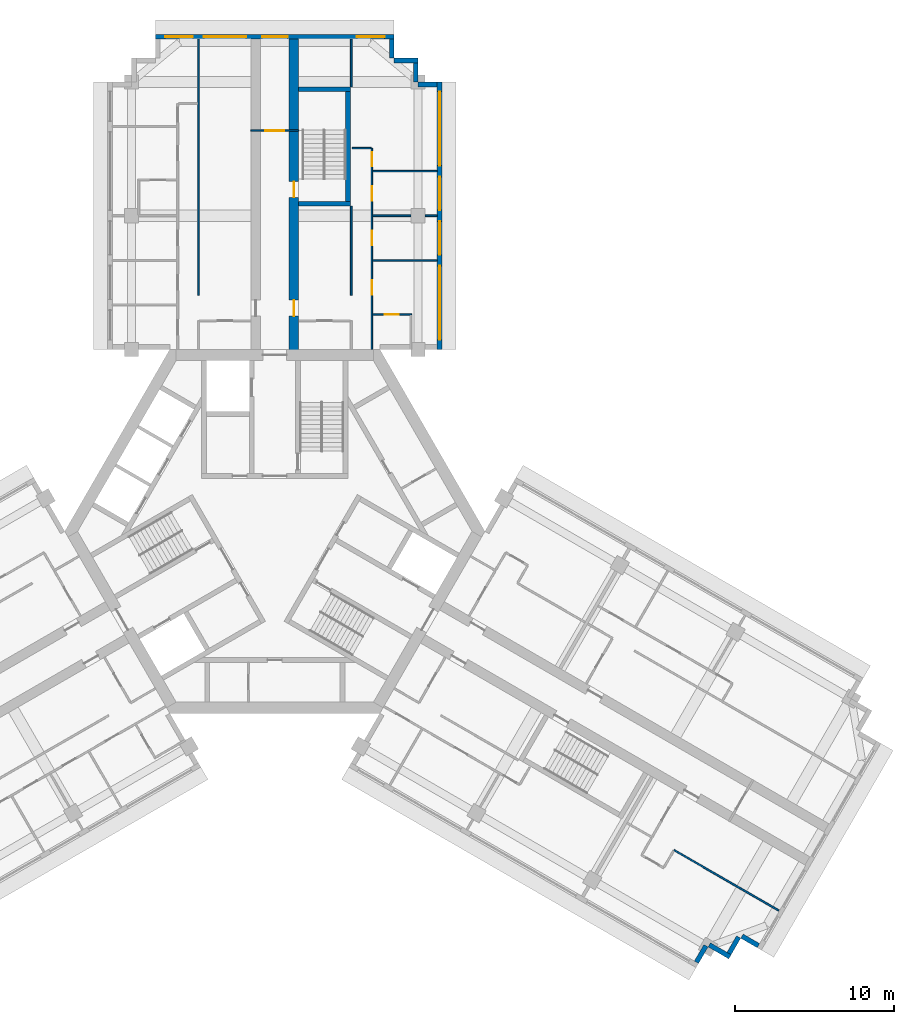
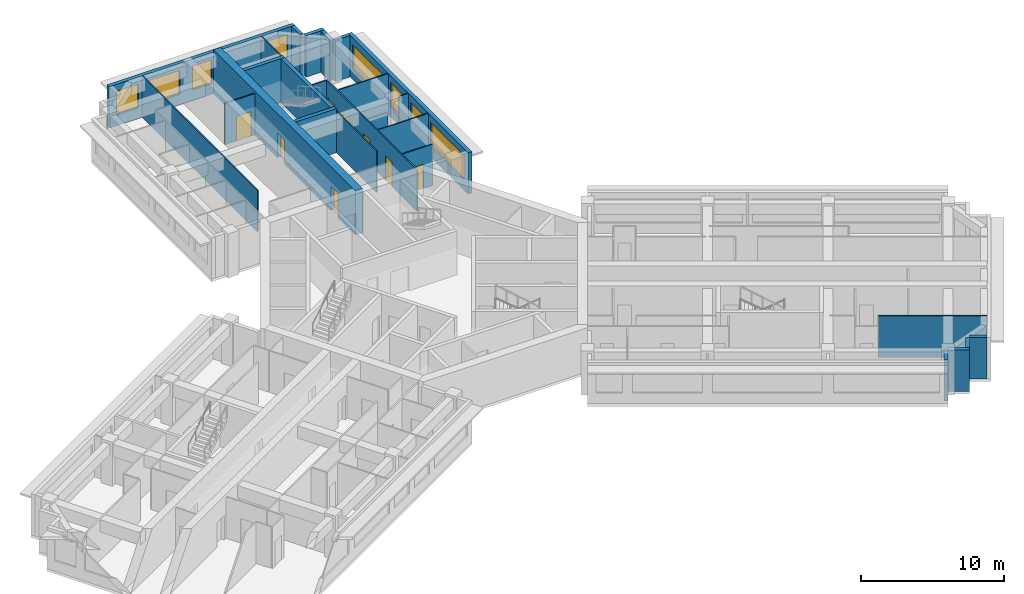
# One storey, part 8 of 10: 26 walls, 8 doors, 8 windows, 16 openings.
"""IFC4 building model written with IfcOpenShell, lengths in metres."""

import ifcopenshell
import ifcopenshell.guid

model = None  # the IFC model being written
_history = None  # IfcOwnerHistory: only IFC2X3 demands one
_inside = {}  # id of a spatial element -> (the spatial element, [elements in it])
_under = {}  # id of a project, library or spatial element -> (it, [spatial elements below it])
_declared = {}  # id of a project -> (the project, [libraries it declares])
_typed = {}  # id of a type object -> (the type object, [elements of that type])
_made_of = {}  # id of a material, layer set ... -> (it, [elements and type objects made of it])


def new_model(schema):
    """Start an empty IFC model of exactly this schema.

    Asked for "IFC4X3", IfcOpenShell would pick the latest addendum, in which some entities
    have other attributes; the version numbers below select the first issue.
    IFC2X3 requires an IfcOwnerHistory on every rooted entity: one is made here for all.
    """
    global model, _history
    if schema == "IFC4X3":
        model = ifcopenshell.file(schema_version=(4, 3, 0, 0))
    else:
        model = ifcopenshell.file(schema=schema)
    _inside.clear()
    _under.clear()
    _declared.clear()
    _typed.clear()
    _made_of.clear()
    _history = None
    if model.schema == "IFC2X3":
        org = make("IfcOrganization", Name="unknown")
        user = make(
            "IfcPersonAndOrganization",
            ThePerson=make("IfcPerson", FamilyName="unknown"),
            TheOrganization=org,
        )
        app = make(
            "IfcApplication",
            ApplicationDeveloper=org,
            Version="unknown",
            ApplicationFullName="unknown",
            ApplicationIdentifier="unknown",
        )
        _history = make(
            "IfcOwnerHistory",
            OwningUser=user,
            OwningApplication=app,
            ChangeAction="ADDED",
            CreationDate=0,
        )
    return model


def make(cls, **values):
    """One entity of the class cls with the attributes given. An attribute that is None is left unset."""
    return model.create_entity(
        cls, **{name: value for name, value in values.items() if value is not None}
    )


def rooted(cls, **values):
    """An entity with a GlobalId (a new one), such as an element, a storey or a relation."""
    return make(cls, GlobalId=ifcopenshell.guid.new(), OwnerHistory=_history, **values)


def si_unit(unit_type, name, prefix=None):
    """IfcSIUnit, for example si_unit("LENGTHUNIT", "METRE", prefix="MILLI")."""
    return make("IfcSIUnit", UnitType=unit_type, Prefix=prefix, Name=name)


def assignment(units):
    """IfcUnitAssignment: the units of a project."""
    return None if units is None else make("IfcUnitAssignment", Units=units)


def point(xyz):
    """IfcCartesianPoint."""
    return None if xyz is None else make("IfcCartesianPoint", Coordinates=xyz)


def direction(xyz):
    """IfcDirection."""
    return None if xyz is None else make("IfcDirection", DirectionRatios=xyz)


def frame(location, z_axis=None, x_axis=None):
    """IfcAxis2Placement3D, a coordinate frame: its origin and axes. An axis left out is left unset."""
    return make(
        "IfcAxis2Placement3D",
        Location=point(location),
        Axis=direction(z_axis),
        RefDirection=direction(x_axis),
    )


def frame_2d(location, x_axis=None):
    """IfcAxis2Placement2D, a coordinate frame in the plane: its origin and x axis."""
    return make(
        "IfcAxis2Placement2D", Location=point(location), RefDirection=direction(x_axis)
    )


def origin():
    """The frame at (0, 0, 0) with its axes left unset."""
    return frame((0.0, 0.0, 0.0))


def place(relative_to, where):
    """IfcLocalPlacement: puts the frame where relative to a parent placement (None: the world)."""
    return make(
        "IfcLocalPlacement", PlacementRelTo=relative_to, RelativePlacement=where
    )


def context(
    kind, dimensions, precision=None, world=None, true_north=None, identifier=None
):
    """IfcGeometricRepresentationContext, for example the 3D "Model" context."""
    return make(
        "IfcGeometricRepresentationContext",
        ContextIdentifier=identifier,
        ContextType=kind,
        CoordinateSpaceDimension=dimensions,
        Precision=precision,
        WorldCoordinateSystem=world,
        TrueNorth=true_north,
    )


def subcontext(parent, identifier, kind, view, scale=None):
    """IfcGeometricRepresentationSubContext, for example "Body" below "Model"."""
    return make(
        "IfcGeometricRepresentationSubContext",
        ContextIdentifier=identifier,
        ContextType=kind,
        ParentContext=parent,
        TargetScale=scale,
        TargetView=view,
    )


def project(units=None, contexts=None):
    """IfcProject with its units and contexts."""
    return rooted(
        "IfcProject",
        Name="project",
        RepresentationContexts=contexts,
        UnitsInContext=assignment(units),
    )


def spatial(cls, under=None, at=None, **own):
    """A site, building, storey or space (cls), placed at a placement, below another one or the project."""
    s = rooted(cls, ObjectPlacement=at, **own)
    if under is not None:
        _under.setdefault(under.id(), (under, []))[1].append(s)
    return s


def profile(cls, at=None, kind="AREA", **sizes):
    """A parametric profile (cls). Its sizes go by their IFC names, for example OverallWidth=200.0."""
    return make(cls, ProfileType=kind, Position=at, **sizes)


def rectangle(**sizes):
    """IfcRectangleProfileDef."""
    return profile("IfcRectangleProfileDef", **sizes)


def extrude(swept, where, along, depth):
    """IfcExtrudedAreaSolid: the profile swept, set in the frame where, extruded along a direction by depth."""
    return make(
        "IfcExtrudedAreaSolid",
        SweptArea=swept,
        Position=where,
        ExtrudedDirection=direction(along),
        Depth=depth,
    )


def shape(context_of_items, identifier, shape_type, items):
    """IfcShapeRepresentation: the items that make up one representation, for example the "Body"."""
    return make(
        "IfcShapeRepresentation",
        ContextOfItems=context_of_items,
        RepresentationIdentifier=identifier,
        RepresentationType=shape_type,
        Items=items,
    )


def material(Name=None, Category=None):
    """IfcMaterial."""
    return make("IfcMaterial", Name=Name, Category=Category)


def layer(
    of_material, thickness, ventilated=None, Name=None, Category=None, Priority=None
):
    """IfcMaterialLayer: one layer of a wall or slab, of a material (None: an air gap)."""
    return make(
        "IfcMaterialLayer",
        Material=of_material,
        LayerThickness=thickness,
        IsVentilated=ventilated,
        Name=Name,
        Category=Category,
        Priority=Priority,
    )


def layer_set(layers, Name=None):
    """IfcMaterialLayerSet."""
    return make("IfcMaterialLayerSet", MaterialLayers=layers, LayerSetName=Name)


def made_of(thing, what):
    """Note that an element or type object is made of a material, layer set ...; save() writes the relation."""
    if what is not None:
        _made_of.setdefault(what.id(), (what, []))[1].append(thing)
    return thing


def type_object(cls, material=None, **own):
    """A type object (cls), such as IfcWallType, which elements share."""
    return made_of(rooted(cls, **own), material)


def element(
    cls,
    number,
    at=None,
    inside=None,
    cuts=None,
    type_object=None,
    material=None,
    context=None,
    identifier="Body",
    shape_type=None,
    held_by="IfcProductDefinitionShape",
    body=None,
    shapes=None,
    **own,
):
    """One element of the class cls, such as IfcWall. Its Tag is "e" and its number.

    at: its placement. inside: the storey or other place that contains it. cuts: it is an
    opening in that element (IfcRelVoidsElement). A single representation is given by context,
    identifier, shape_type and body (its items); several are given by shapes. held_by: the class
    of the entity that holds the representations. save() writes the other relations.
    """
    e = rooted(cls, Tag="e%d" % number, ObjectPlacement=at, **own)
    if body is not None:
        shapes = [shape(context, identifier, shape_type, body)]
    if shapes is not None:
        e.Representation = make(held_by, Representations=shapes)
    if inside is not None:
        _inside.setdefault(inside.id(), (inside, []))[1].append(e)
    if cuts is not None:
        rooted(
            "IfcRelVoidsElement", RelatingBuildingElement=cuts, RelatedOpeningElement=e
        )
    if type_object is not None:
        _typed.setdefault(type_object.id(), (type_object, []))[1].append(e)
    return made_of(e, material)


def fill(opening, filler):
    """IfcRelFillsElement: the door or window that sits in an opening."""
    return rooted(
        "IfcRelFillsElement",
        RelatingOpeningElement=opening,
        RelatedBuildingElement=filler,
    )


def aggregate(whole, parts):
    """IfcRelAggregates: a whole, such as a stair, and the parts it consists of."""
    return rooted("IfcRelAggregates", RelatingObject=whole, RelatedObjects=parts)


def save(model, path):
    """Write the relations noted so far, then the file.

    IfcRelAggregates (storeys below a building ...), IfcRelContainedInSpatialStructure (elements
    in a storey), IfcRelDefinesByType, IfcRelAssociatesMaterial and IfcRelDeclares: one each for
    every whole, place, type object, material and project.
    """
    for whole, parts in _under.values():
        aggregate(whole, parts)
    for where, things in _inside.values():
        rooted(
            "IfcRelContainedInSpatialStructure",
            RelatedElements=things,
            RelatingStructure=where,
        )
    for kind, things in _typed.values():
        rooted("IfcRelDefinesByType", RelatedObjects=things, RelatingType=kind)
    for what, things in _made_of.values():
        rooted("IfcRelAssociatesMaterial", RelatedObjects=things, RelatingMaterial=what)
    for by, libraries in _declared.values():
        rooted("IfcRelDeclares", RelatingContext=by, RelatedDefinitions=libraries)
    model.write(path)


model = new_model("IFC4")

# Units and contexts
model_context = context("Model", 3, precision=1e-05, world=origin(), true_north=direction((0.0, 1.0)))
body_context = subcontext(model_context, "Body", "Model", "MODEL_VIEW")
ifc_project = project(units=[si_unit("LENGTHUNIT", "METRE"), si_unit("AREAUNIT", "SQUARE_METRE"), si_unit("VOLUMEUNIT", "CUBIC_METRE"), si_unit("PLANEANGLEUNIT", "RADIAN"), si_unit("MASSUNIT", "GRAM", prefix="KILO")], contexts=[model_context])

# Site, building, storey
site_placement = place(None, origin())
site = spatial("IfcSite", under=ifc_project, at=site_placement, CompositionType="ELEMENT")
building_placement = place(site_placement, origin())
building = spatial("IfcBuilding", under=site, at=building_placement, Name="Impinga Residences", CompositionType="ELEMENT")
storey_placement = place(building_placement, frame((0.0, 0.0, 192.25)))
storey = spatial("IfcBuildingStorey", under=building, at=storey_placement, Name="L47", CompositionType="ELEMENT", Elevation=192.25)

# Wall, openings, doors
ifc_material_1 = material(Name="Concrete C60/75", Category="concrete")
ifc_layer_1 = layer(ifc_material_1, 0.60009765625)
ifc_layer_set_1 = layer_set([ifc_layer_1], Name="Concrete C60/75")
wall_type_1 = type_object("IfcWallType", Name="BW3 corridor buttress wall, L46 to L73 600", PredefinedType="SHEAR", material=ifc_layer_set_1)
wall_1_placement = place(storey_placement, frame((1.199951171875, 11.08154296875, 0.0), z_axis=(0.0, 0.0, 1.0), x_axis=(0.0, 1.0, 0.0)))
wall_1 = element("IfcWall", 1, at=wall_1_placement, inside=storey, type_object=wall_type_1, Name="Corridor wall BW3 ND L47", PredefinedType="SHEAR", context=body_context, shape_type="SweptSolid", body=[
    extrude(rectangle(XDim=19.85009765625, YDim=0.60009765625, at=frame_2d((9.925048828125, 0.0))), origin(), (0.0, 0.0, 1.0), 3.75),
])
opening_1_placement = place(wall_1_placement, frame((9.89990234375, 0.0, 0.0)))
opening_1 = element("IfcOpeningElement", 2, at=opening_1_placement, cuts=wall_1, Name="Opening D5", PredefinedType="OPENING", context=body_context, shape_type="SweptSolid", body=[
    extrude(rectangle(XDim=1.0, YDim=2.10009765625, at=frame_2d((0.5, 1.050048828125))), frame((0.0, 0.31005859375, 0.0), z_axis=(0.0, -1.0, 0.0), x_axis=(1.0, 0.0, 0.0)), (0.0, 0.0, 1.0), 0.6201171875),
])
opening_2_placement = place(wall_1_placement, frame((2.449951171875, 0.0, 0.0)))
opening_2 = element("IfcOpeningElement", 3, at=opening_2_placement, cuts=wall_1, Name="Opening D1", PredefinedType="OPENING", context=body_context, shape_type="SweptSolid", body=[
    extrude(rectangle(XDim=1.0, YDim=2.10009765625, at=frame_2d((0.5, 1.050048828125))), frame((0.0, 0.31005859375, 0.0), z_axis=(0.0, -1.0, 0.0), x_axis=(1.0, 0.0, 0.0)), (0.0, 0.0, 1.0), 0.6201171875),
])
ifc_material_2 = material(Name="Timber door set", Category="wood")
door_type_1 = type_object("IfcDoorType", Name="D1 apartment entrance door 1000x2100", OperationType="SINGLE_SWING_LEFT", PredefinedType="DOOR", material=ifc_material_2)
door_1_placement = place(opening_2_placement, origin())
door_1 = element("IfcDoor", 4, at=door_1_placement, inside=storey, type_object=door_type_1, Name="Apartment L47-NF1 entrance", OperationType="SINGLE_SWING_LEFT", OverallHeight=2.10009765625, OverallWidth=1.0, PredefinedType="DOOR", context=body_context, shape_type="SweptSolid", body=[
    extrude(rectangle(XDim=1.0, YDim=2.10009765625, at=frame_2d((0.5, 1.050048828125))), frame((0.0, 0.02490234375, 0.0), z_axis=(0.0, -1.0, 0.0), x_axis=(1.0, 0.0, 0.0)), (0.0, 0.0, 1.0), 0.050048828125),
])
fill(opening_2, door_1)
door_type_2 = type_object("IfcDoorType", Name="D5 stair door 1000x2100", OperationType="SINGLE_SWING_LEFT", PredefinedType="DOOR", material=ifc_material_2)
door_2_placement = place(opening_1_placement, origin())
door_2 = element("IfcDoor", 5, at=door_2_placement, inside=storey, type_object=door_type_2, Name="Wing stair door N", OperationType="SINGLE_SWING_RIGHT", OverallHeight=2.10009765625, OverallWidth=1.0, PredefinedType="DOOR", context=body_context, shape_type="SweptSolid", body=[
    extrude(rectangle(XDim=1.0, YDim=2.10009765625, at=frame_2d((0.5, 1.050048828125))), frame((0.0, 0.02490234375, 0.0), z_axis=(0.0, -1.0, 0.0), x_axis=(1.0, 0.0, 0.0)), (0.0, 0.0, 1.0), 0.050048828125),
])
fill(opening_1, door_2)

# Wall, opening, door
ifc_material_3 = material(Name="Concrete blockwork", Category="masonry")
ifc_layer_2 = layer(ifc_material_3, 0.10009765625)
ifc_layer_set_2 = layer_set([ifc_layer_2], Name="CP1 core room partition, blockwork 100")
wall_type_2 = type_object("IfcWallType", Name="CP1 core room partition, blockwork 100", PredefinedType="PARTITIONING", material=ifc_layer_set_2)
wall_2_placement = place(storey_placement, frame((-1.5, 25.181640625, 0.0), z_axis=(0.0, 0.0, 1.0), x_axis=(1.0, 0.0, 0.0)))
wall_2 = element("IfcWall", 6, at=wall_2_placement, inside=storey, type_object=wall_type_2, Name="Core room partition, blockwork L47:N:LNG", PredefinedType="PARTITIONING", context=body_context, shape_type="SweptSolid", body=[
    extrude(rectangle(XDim=3.0, YDim=0.10009765625, at=frame_2d((1.5, 0.0))), origin(), (0.0, 0.0, 1.0), 3.530029296875),
])
opening_3_placement = place(wall_2_placement, frame((0.89990234375, 0.0, 0.0)))
opening_3 = element("IfcOpeningElement", 7, at=opening_3_placement, cuts=wall_2, Name="Opening D3", PredefinedType="OPENING", context=body_context, shape_type="SweptSolid", body=[
    extrude(rectangle(XDim=1.199951171875, YDim=2.10009765625, at=frame_2d((0.60009765625, 1.050048828125))), frame((0.0, 0.06005859375, 0.0), z_axis=(0.0, -1.0, 0.0), x_axis=(1.0, 0.0, 0.0)), (0.0, 0.0, 1.0), 0.1201171875),
])
door_type_3 = type_object("IfcDoorType", Name="D3 room door, leaf and a half 1200x2100", OperationType="DOUBLE_SWING_LEFT", PredefinedType="DOOR", material=ifc_material_2)
door_3_placement = place(opening_3_placement, origin())
door_3 = element("IfcDoor", 8, at=door_3_placement, inside=storey, type_object=door_type_3, Name="Residents' lounge door N", OperationType="DOUBLE_SWING_LEFT", OverallHeight=2.10009765625, OverallWidth=1.199951171875, PredefinedType="DOOR", context=body_context, shape_type="SweptSolid", body=[
    extrude(rectangle(XDim=1.199951171875, YDim=2.10009765625, at=frame_2d((0.60009765625, 1.050048828125))), frame((0.0, 0.02490234375, 0.0), z_axis=(0.0, -1.0, 0.0), x_axis=(1.0, 0.0, 0.0)), (0.0, 0.0, 1.0), 0.050048828125),
])
fill(opening_3, door_3)

# Wall, openings, windows
ifc_material_4 = material(Name="Terracotta rainscreen on blockwork", Category="masonry")
ifc_layer_3 = layer(ifc_material_4, 0.300048828125)
ifc_layer_set_3 = layer_set([ifc_layer_3], Name="EW1 external wall, terracotta rainscreen on blockwork 300")
wall_type_3 = type_object("IfcWallType", Name="EW1 external wall, terracotta rainscreen on blockwork 300", PredefinedType="SOLIDWALL", material=ifc_layer_set_3)
wall_3_placement = place(storey_placement, frame((-7.5, 31.08154296875, 0.0), z_axis=(0.0, 0.0, 1.0), x_axis=(1.0, 0.0, 0.0)))
wall_3 = element("IfcWall", 9, at=wall_3_placement, inside=storey, type_object=wall_type_3, Name="External wall EW1 L47", PredefinedType="SOLIDWALL", context=body_context, shape_type="SweptSolid", body=[
    extrude(rectangle(XDim=15.0, YDim=0.300048828125, at=frame_2d((7.5, 0.0))), origin(), (0.0, 0.0, 1.0), 3.530029296875),
])
opening_4_placement = place(wall_3_placement, frame((0.60009765625, 0.0, 0.89990234375)))
opening_4 = element("IfcOpeningElement", 10, at=opening_4_placement, cuts=wall_3, Name="Opening W1", PredefinedType="OPENING", context=body_context, shape_type="SweptSolid", body=[
    extrude(rectangle(XDim=1.75, YDim=2.050048828125, at=frame_2d((0.875, 1.02490234375))), frame((0.0, 0.159912109375, 0.0), z_axis=(0.0, -1.0, 0.0), x_axis=(1.0, 0.0, 0.0)), (0.0, 0.0, 1.0), 0.320068359375),
])
opening_5_placement = place(wall_3_placement, frame((3.050048828125, 0.0, 0.89990234375)))
opening_5 = element("IfcOpeningElement", 11, at=opening_5_placement, cuts=wall_3, Name="Opening W18", PredefinedType="OPENING", context=body_context, shape_type="SweptSolid", body=[
    extrude(rectangle(XDim=2.64990234375, YDim=2.050048828125, at=frame_2d((1.324951171875, 1.02490234375))), frame((0.0, 0.159912109375, 0.0), z_axis=(0.0, -1.0, 0.0), x_axis=(1.0, 0.0, 0.0)), (0.0, 0.0, 1.0), 0.320068359375),
])
opening_6_placement = place(wall_3_placement, frame((6.699951171875, 0.0, 0.89990234375)))
opening_6 = element("IfcOpeningElement", 12, at=opening_6_placement, cuts=wall_3, Name="Opening W19", PredefinedType="OPENING", context=body_context, shape_type="SweptSolid", body=[
    extrude(rectangle(XDim=1.60009765625, YDim=2.050048828125, at=frame_2d((0.800048828125, 1.02490234375))), frame((0.0, 0.159912109375, 0.0), z_axis=(0.0, -1.0, 0.0), x_axis=(1.0, 0.0, 0.0)), (0.0, 0.0, 1.0), 0.320068359375),
])
opening_7_placement = place(wall_3_placement, frame((12.64990234375, 0.0, 0.89990234375)))
opening_7 = element("IfcOpeningElement", 13, at=opening_7_placement, cuts=wall_3, Name="Opening W1", PredefinedType="OPENING", context=body_context, shape_type="SweptSolid", body=[
    extrude(rectangle(XDim=1.75, YDim=2.050048828125, at=frame_2d((0.875, 1.02490234375))), frame((0.0, 0.159912109375, 0.0), z_axis=(0.0, -1.0, 0.0), x_axis=(1.0, 0.0, 0.0)), (0.0, 0.0, 1.0), 0.320068359375),
])
ifc_material_5 = material(Name="Aluminium window, clear double glazing", Category="aluminium")
window_type_1 = type_object("IfcWindowType", Name="W1 ribbon window 1750x2050", PartitioningType="SINGLE_PANEL", PredefinedType="WINDOW", material=ifc_material_5)
window_1_placement = place(opening_4_placement, origin())
window_1 = element("IfcWindow", 14, at=window_1_placement, inside=storey, type_object=window_type_1, Name="Window L47", OverallHeight=2.050048828125, OverallWidth=1.75, PartitioningType="SINGLE_PANEL", PredefinedType="WINDOW", context=body_context, shape_type="SweptSolid", body=[
    extrude(rectangle(XDim=1.75, YDim=2.050048828125, at=frame_2d((0.875, 1.02490234375))), frame((0.0, 0.030029296875, 0.0), z_axis=(0.0, -1.0, 0.0), x_axis=(1.0, 0.0, 0.0)), (0.0, 0.0, 1.0), 0.06005859375),
])
fill(opening_4, window_1)
window_2_placement = place(opening_7_placement, origin())
window_2 = element("IfcWindow", 15, at=window_2_placement, inside=storey, type_object=window_type_1, Name="Window L47", OverallHeight=2.050048828125, OverallWidth=1.75, PartitioningType="SINGLE_PANEL", PredefinedType="WINDOW", context=body_context, shape_type="SweptSolid", body=[
    extrude(rectangle(XDim=1.75, YDim=2.050048828125, at=frame_2d((0.875, 1.02490234375))), frame((0.0, 0.030029296875, 0.0), z_axis=(0.0, -1.0, 0.0), x_axis=(1.0, 0.0, 0.0)), (0.0, 0.0, 1.0), 0.06005859375),
])
fill(opening_7, window_2)
window_type_2 = type_object("IfcWindowType", Name="W18 ribbon window 2650x2050", PartitioningType="SINGLE_PANEL", PredefinedType="WINDOW", material=ifc_material_5)
window_3_placement = place(opening_5_placement, origin())
window_3 = element("IfcWindow", 16, at=window_3_placement, inside=storey, type_object=window_type_2, Name="Window L47", OverallHeight=2.050048828125, OverallWidth=2.64990234375, PartitioningType="SINGLE_PANEL", PredefinedType="WINDOW", context=body_context, shape_type="SweptSolid", body=[
    extrude(rectangle(XDim=2.64990234375, YDim=2.050048828125, at=frame_2d((1.324951171875, 1.02490234375))), frame((0.0, 0.030029296875, 0.0), z_axis=(0.0, -1.0, 0.0), x_axis=(1.0, 0.0, 0.0)), (0.0, 0.0, 1.0), 0.06005859375),
])
fill(opening_5, window_3)
window_type_3 = type_object("IfcWindowType", Name="W19 ribbon window 1600x2050", PartitioningType="SINGLE_PANEL", PredefinedType="WINDOW", material=ifc_material_5)
window_4_placement = place(opening_6_placement, origin())
window_4 = element("IfcWindow", 17, at=window_4_placement, inside=storey, type_object=window_type_3, Name="Window L47", OverallHeight=2.050048828125, OverallWidth=1.60009765625, PartitioningType="SINGLE_PANEL", PredefinedType="WINDOW", context=body_context, shape_type="SweptSolid", body=[
    extrude(rectangle(XDim=1.60009765625, YDim=2.050048828125, at=frame_2d((0.800048828125, 1.02490234375))), frame((0.0, 0.030029296875, 0.0), z_axis=(0.0, -1.0, 0.0), x_axis=(1.0, 0.0, 0.0)), (0.0, 0.0, 1.0), 0.06005859375),
])
fill(opening_6, window_4)

# Walls
wall_4_placement = place(storey_placement, frame((7.35009765625, 30.931640625, 0.0), z_axis=(0.0, 0.0, 1.0), x_axis=(0.0, -1.0, 0.0)))
element("IfcWall", 18, at=wall_4_placement, inside=storey, type_object=wall_type_3, Name="External wall EW1 L47", PredefinedType="SOLIDWALL", context=body_context, shape_type="SweptSolid", body=[
    extrude(rectangle(XDim=1.195068359375, YDim=0.300048828125, at=frame_2d((0.59765625, 0.0))), origin(), (0.0, 0.0, 1.0), 3.530029296875),
])
wall_5_placement = place(storey_placement, frame((7.5, 29.58154296875, 0.0), z_axis=(0.0, 0.0, 1.0), x_axis=(1.0, 0.0, 0.0)))
element("IfcWall", 19, at=wall_5_placement, inside=storey, type_object=wall_type_3, Name="External wall EW1 L47", PredefinedType="SOLIDWALL", context=body_context, shape_type="SweptSolid", body=[
    extrude(rectangle(XDim=1.5, YDim=0.300048828125, at=frame_2d((0.75, 0.0))), origin(), (0.0, 0.0, 1.0), 3.530029296875),
])
wall_6_placement = place(storey_placement, frame((8.85009765625, 29.431640625, 0.0), z_axis=(0.0, 0.0, 1.0), x_axis=(0.0, -1.0, 0.0)))
element("IfcWall", 20, at=wall_6_placement, inside=storey, type_object=wall_type_3, Name="External wall EW1 L47", PredefinedType="SOLIDWALL", context=body_context, shape_type="SweptSolid", body=[
    extrude(rectangle(XDim=1.2001953125, YDim=0.300048828125, at=frame_2d((0.60009765625, 0.0))), origin(), (0.0, 0.0, 1.0), 3.530029296875),
])
wall_7_placement = place(storey_placement, frame((9.0048828125, 28.08154296875, 0.0), z_axis=(0.0, 0.0, 1.0), x_axis=(1.0, 0.0, 0.0)))
element("IfcWall", 21, at=wall_7_placement, inside=storey, type_object=wall_type_3, Name="External wall EW1 L47", PredefinedType="SOLIDWALL", context=body_context, shape_type="SweptSolid", body=[
    extrude(rectangle(XDim=1.195068359375, YDim=0.300048828125, at=frame_2d((0.59765625, 0.0))), origin(), (0.0, 0.0, 1.0), 3.530029296875),
])

# Wall, openings, windows
wall_8_placement = place(storey_placement, frame((10.35009765625, 28.2314453125, 0.0), z_axis=(0.0, 0.0, 1.0), x_axis=(0.0, -1.0, 0.0)))
wall_8 = element("IfcWall", 22, at=wall_8_placement, inside=storey, type_object=wall_type_3, Name="External wall EW1 L47", PredefinedType="SOLIDWALL", context=body_context, shape_type="SweptSolid", body=[
    extrude(rectangle(XDim=16.7998046875, YDim=0.300048828125, at=frame_2d((8.39990234375, 0.0))), origin(), (0.0, 0.0, 1.0), 3.530029296875),
])
opening_8_placement = place(wall_8_placement, frame((0.60009765625, 0.0, 0.89990234375)))
opening_8 = element("IfcOpeningElement", 23, at=opening_8_placement, cuts=wall_8, Name="Opening W10", PredefinedType="OPENING", context=body_context, shape_type="SweptSolid", body=[
    extrude(rectangle(XDim=4.64990234375, YDim=2.050048828125, at=frame_2d((2.324951171875, 1.02490234375))), frame((0.0, 0.159912109375, 0.0), z_axis=(0.0, -1.0, 0.0), x_axis=(1.0, 0.0, 0.0)), (0.0, 0.0, 1.0), 0.320068359375),
])
opening_9_placement = place(wall_8_placement, frame((5.949951171875, 0.0, 0.89990234375)))
opening_9 = element("IfcOpeningElement", 24, at=opening_9_placement, cuts=wall_8, Name="Opening W9", PredefinedType="OPENING", context=body_context, shape_type="SweptSolid", body=[
    extrude(rectangle(XDim=2.10009765625, YDim=2.050048828125, at=frame_2d((1.050048828125, 1.02490234375))), frame((0.0, 0.159912109375, 0.0), z_axis=(0.0, -1.0, 0.0), x_axis=(1.0, 0.0, 0.0)), (0.0, 0.0, 1.0), 0.320068359375),
])
opening_10_placement = place(wall_8_placement, frame((8.75, 0.0, 0.89990234375)))
opening_10 = element("IfcOpeningElement", 25, at=opening_10_placement, cuts=wall_8, Name="Opening W9", PredefinedType="OPENING", context=body_context, shape_type="SweptSolid", body=[
    extrude(rectangle(XDim=2.10009765625, YDim=2.050048828125, at=frame_2d((1.050048828125, 1.02490234375))), frame((0.0, 0.159912109375, 0.0), z_axis=(0.0, -1.0, 0.0), x_axis=(1.0, 0.0, 0.0)), (0.0, 0.0, 1.0), 0.320068359375),
])
opening_11_placement = place(wall_8_placement, frame((11.550048828125, 0.0, 0.89990234375)))
opening_11 = element("IfcOpeningElement", 26, at=opening_11_placement, cuts=wall_8, Name="Opening W10", PredefinedType="OPENING", context=body_context, shape_type="SweptSolid", body=[
    extrude(rectangle(XDim=4.64990234375, YDim=2.050048828125, at=frame_2d((2.324951171875, 1.02490234375))), frame((0.0, 0.159912109375, 0.0), z_axis=(0.0, -1.0, 0.0), x_axis=(1.0, 0.0, 0.0)), (0.0, 0.0, 1.0), 0.320068359375),
])
window_type_4 = type_object("IfcWindowType", Name="W10 ribbon window 4650x2050", PartitioningType="SINGLE_PANEL", PredefinedType="WINDOW", material=ifc_material_5)
window_5_placement = place(opening_8_placement, origin())
window_5 = element("IfcWindow", 27, at=window_5_placement, inside=storey, type_object=window_type_4, Name="Window L47", OverallHeight=2.050048828125, OverallWidth=4.64990234375, PartitioningType="SINGLE_PANEL", PredefinedType="WINDOW", context=body_context, shape_type="SweptSolid", body=[
    extrude(rectangle(XDim=4.64990234375, YDim=2.050048828125, at=frame_2d((2.324951171875, 1.02490234375))), frame((0.0, 0.030029296875, 0.0), z_axis=(0.0, -1.0, 0.0), x_axis=(1.0, 0.0, 0.0)), (0.0, 0.0, 1.0), 0.06005859375),
])
fill(opening_8, window_5)
window_6_placement = place(opening_11_placement, origin())
window_6 = element("IfcWindow", 28, at=window_6_placement, inside=storey, type_object=window_type_4, Name="Window L47", OverallHeight=2.050048828125, OverallWidth=4.64990234375, PartitioningType="SINGLE_PANEL", PredefinedType="WINDOW", context=body_context, shape_type="SweptSolid", body=[
    extrude(rectangle(XDim=4.64990234375, YDim=2.050048828125, at=frame_2d((2.324951171875, 1.02490234375))), frame((0.0, 0.030029296875, 0.0), z_axis=(0.0, -1.0, 0.0), x_axis=(1.0, 0.0, 0.0)), (0.0, 0.0, 1.0), 0.06005859375),
])
fill(opening_11, window_6)
window_type_5 = type_object("IfcWindowType", Name="W9 ribbon window 2100x2050", PartitioningType="SINGLE_PANEL", PredefinedType="WINDOW", material=ifc_material_5)
window_7_placement = place(opening_9_placement, origin())
window_7 = element("IfcWindow", 29, at=window_7_placement, inside=storey, type_object=window_type_5, Name="Window L47", OverallHeight=2.050048828125, OverallWidth=2.10009765625, PartitioningType="SINGLE_PANEL", PredefinedType="WINDOW", context=body_context, shape_type="SweptSolid", body=[
    extrude(rectangle(XDim=2.10009765625, YDim=2.050048828125, at=frame_2d((1.050048828125, 1.02490234375))), frame((0.0, 0.030029296875, 0.0), z_axis=(0.0, -1.0, 0.0), x_axis=(1.0, 0.0, 0.0)), (0.0, 0.0, 1.0), 0.06005859375),
])
fill(opening_9, window_7)
window_8_placement = place(opening_10_placement, origin())
window_8 = element("IfcWindow", 30, at=window_8_placement, inside=storey, type_object=window_type_5, Name="Window L47", OverallHeight=2.050048828125, OverallWidth=2.10009765625, PartitioningType="SINGLE_PANEL", PredefinedType="WINDOW", context=body_context, shape_type="SweptSolid", body=[
    extrude(rectangle(XDim=2.10009765625, YDim=2.050048828125, at=frame_2d((1.050048828125, 1.02490234375))), frame((0.0, 0.030029296875, 0.0), z_axis=(0.0, -1.0, 0.0), x_axis=(1.0, 0.0, 0.0)), (0.0, 0.0, 1.0), 0.06005859375),
])
fill(opening_10, window_8)

# Walls
wall_9_placement = place(storey_placement, frame((30.38720703125, -26.031005859375, 0.0), z_axis=(0.0, 0.0, 1.0), x_axis=(-0.866059708757, 0.499940577336, 0.0)))
element("IfcWall", 31, at=wall_9_placement, inside=storey, type_object=wall_type_3, Name="External wall EW1 L47", PredefinedType="SOLIDWALL", context=body_context, shape_type="SweptSolid", body=[
    extrude(rectangle(XDim=1.195068359375, YDim=0.300048828125, at=frame_2d((0.59765625, 0.0))), origin(), (0.0, 0.0, 1.0), 3.530029296875),
])
wall_10_placement = place(storey_placement, frame((29.14306640625, -25.48583984375, 0.0), z_axis=(0.0, 0.0, 1.0), x_axis=(-0.500033551112, -0.866006032174, 0.0)))
element("IfcWall", 32, at=wall_10_placement, inside=storey, type_object=wall_type_3, Name="External wall EW1 L47", PredefinedType="SOLIDWALL", context=body_context, shape_type="SweptSolid", body=[
    extrude(rectangle(XDim=1.2001953125, YDim=0.300048828125, at=frame_2d((0.60009765625, 0.0))), origin(), (0.0, 0.0, 1.0), 3.530029296875),
])
wall_11_placement = place(storey_placement, frame((28.597900390625, -26.72998046875, 0.0), z_axis=(0.0, 0.0, 1.0), x_axis=(-0.866031096941, 0.499990139034, 0.0)))
element("IfcWall", 33, at=wall_11_placement, inside=storey, type_object=wall_type_3, Name="External wall EW1 L47", PredefinedType="SOLIDWALL", context=body_context, shape_type="SweptSolid", body=[
    extrude(rectangle(XDim=1.5, YDim=0.300048828125, at=frame_2d((0.75, 0.0))), origin(), (0.0, 0.0, 1.0), 3.530029296875),
])
wall_12_placement = place(storey_placement, frame((27.091552734375, -26.039306640625, 0.0), z_axis=(0.0, 0.0, 1.0), x_axis=(-0.500093796661, -0.865971243484, 0.0)))
element("IfcWall", 34, at=wall_12_placement, inside=storey, type_object=wall_type_3, Name="External wall EW1 L47", PredefinedType="SOLIDWALL", context=body_context, shape_type="SweptSolid", body=[
    extrude(rectangle(XDim=1.195068359375, YDim=0.300048828125, at=frame_2d((0.59765625, 0.0))), origin(), (0.0, 0.0, 1.0), 3.530029296875),
])
ifc_material_6 = material(Name="Gypsum board on steel studs", Category="steel")
ifc_layer_4 = layer(ifc_material_6, 0.10009765625)
ifc_layer_set_4 = layer_set([ifc_layer_4], Name="Gypsum board on steel studs")
wall_type_4 = type_object("IfcWallType", Name="IP1 partition 100", PredefinedType="PARTITIONING", material=ifc_layer_set_4)
wall_13_placement = place(storey_placement, frame((-4.800048828125, 14.83154296875, 0.0), z_axis=(0.0, 0.0, 1.0), x_axis=(0.0, 1.0, 0.0)))
element("IfcWall", 35, at=wall_13_placement, inside=storey, type_object=wall_type_4, Name="Partition L47-NA1:DIV1", PredefinedType="PARTITIONING", context=body_context, shape_type="SweptSolid", body=[
    extrude(rectangle(XDim=16.10009765625, YDim=0.10009765625, at=frame_2d((8.050048828125, 0.0))), origin(), (0.0, 0.0, 1.0), 3.530029296875),
])
wall_14_placement = place(storey_placement, frame((4.800048828125, 14.83154296875, 0.0), z_axis=(0.0, 0.0, 1.0), x_axis=(0.0, 1.0, 0.0)))
element("IfcWall", 36, at=wall_14_placement, inside=storey, type_object=wall_type_4, Name="Partition L47-NF1:DIV1", PredefinedType="PARTITIONING", context=body_context, shape_type="SweptSolid", body=[
    extrude(rectangle(XDim=5.60009765625, YDim=0.10009765625, at=frame_2d((2.800048828125, 0.0))), origin(), (0.0, 0.0, 1.0), 3.530029296875),
])
wall_15_placement = place(storey_placement, frame((4.800048828125, 27.931640625, 0.0), z_axis=(0.0, 0.0, 1.0), x_axis=(0.0, 1.0, 0.0)))
element("IfcWall", 37, at=wall_15_placement, inside=storey, type_object=wall_type_4, Name="Partition L47-NF1:DIV2", PredefinedType="PARTITIONING", context=body_context, shape_type="SweptSolid", body=[
    extrude(rectangle(XDim=3.0, YDim=0.10009765625, at=frame_2d((1.5, 0.0))), origin(), (0.0, 0.0, 1.0), 3.530029296875),
])

# Wall, openings, doors
wall_16_placement = place(storey_placement, frame((6.10009765625, 11.431640625, 0.0), z_axis=(0.0, 0.0, 1.0), x_axis=(0.0, 1.0, 0.0)))
wall_16 = element("IfcWall", 38, at=wall_16_placement, inside=storey, type_object=wall_type_4, Name="Partition L47-NF1:STRIP", PredefinedType="PARTITIONING", context=body_context, shape_type="SweptSolid", body=[
    extrude(rectangle(XDim=12.64990234375, YDim=0.10009765625, at=frame_2d((6.324951171875, 0.0))), origin(), (0.0, 0.0, 1.0), 3.530029296875),
])
opening_12_placement = place(wall_16_placement, frame((3.449951171875, 0.0, 0.0)))
opening_12 = element("IfcOpeningElement", 39, at=opening_12_placement, cuts=wall_16, Name="Opening D2", PredefinedType="OPENING", context=body_context, shape_type="SweptSolid", body=[
    extrude(rectangle(XDim=0.89990234375, YDim=2.10009765625, at=frame_2d((0.449951171875, 1.050048828125))), frame((0.0, 0.06005859375, 0.0), z_axis=(0.0, -1.0, 0.0), x_axis=(1.0, 0.0, 0.0)), (0.0, 0.0, 1.0), 0.1201171875),
])
opening_13_placement = place(wall_16_placement, frame((6.550048828125, 0.0, 0.0)))
opening_13 = element("IfcOpeningElement", 40, at=opening_13_placement, cuts=wall_16, Name="Opening D2", PredefinedType="OPENING", context=body_context, shape_type="SweptSolid", body=[
    extrude(rectangle(XDim=0.89990234375, YDim=2.10009765625, at=frame_2d((0.449951171875, 1.050048828125))), frame((0.0, 0.06005859375, 0.0), z_axis=(0.0, -1.0, 0.0), x_axis=(1.0, 0.0, 0.0)), (0.0, 0.0, 1.0), 0.1201171875),
])
opening_14_placement = place(wall_16_placement, frame((9.35009765625, 0.0, 0.0)))
opening_14 = element("IfcOpeningElement", 41, at=opening_14_placement, cuts=wall_16, Name="Opening D2", PredefinedType="OPENING", context=body_context, shape_type="SweptSolid", body=[
    extrude(rectangle(XDim=0.89990234375, YDim=2.10009765625, at=frame_2d((0.449951171875, 1.050048828125))), frame((0.0, 0.06005859375, 0.0), z_axis=(0.0, -1.0, 0.0), x_axis=(1.0, 0.0, 0.0)), (0.0, 0.0, 1.0), 0.1201171875),
])
opening_15_placement = place(wall_16_placement, frame((11.5, 0.0, 0.0)))
opening_15 = element("IfcOpeningElement", 42, at=opening_15_placement, cuts=wall_16, Name="Opening D2", PredefinedType="OPENING", context=body_context, shape_type="SweptSolid", body=[
    extrude(rectangle(XDim=0.89990234375, YDim=2.10009765625, at=frame_2d((0.449951171875, 1.050048828125))), frame((0.0, 0.06005859375, 0.0), z_axis=(0.0, -1.0, 0.0), x_axis=(1.0, 0.0, 0.0)), (0.0, 0.0, 1.0), 0.1201171875),
])
door_type_4 = type_object("IfcDoorType", Name="D2 internal door 900x2100", OperationType="SINGLE_SWING_LEFT", PredefinedType="DOOR", material=ifc_material_2)
door_4_placement = place(opening_12_placement, origin())
door_4 = element("IfcDoor", 43, at=door_4_placement, inside=storey, type_object=door_type_4, Name="Apartment L47-NF1 room door", OperationType="SINGLE_SWING_LEFT", OverallHeight=2.10009765625, OverallWidth=0.89990234375, PredefinedType="DOOR", context=body_context, shape_type="SweptSolid", body=[
    extrude(rectangle(XDim=0.89990234375, YDim=2.10009765625, at=frame_2d((0.449951171875, 1.050048828125))), frame((0.0, 0.02490234375, 0.0), z_axis=(0.0, -1.0, 0.0), x_axis=(1.0, 0.0, 0.0)), (0.0, 0.0, 1.0), 0.050048828125),
])
fill(opening_12, door_4)
door_5_placement = place(opening_13_placement, origin())
door_5 = element("IfcDoor", 44, at=door_5_placement, inside=storey, type_object=door_type_4, Name="Apartment L47-NF1 room door", OperationType="SINGLE_SWING_RIGHT", OverallHeight=2.10009765625, OverallWidth=0.89990234375, PredefinedType="DOOR", context=body_context, shape_type="SweptSolid", body=[
    extrude(rectangle(XDim=0.89990234375, YDim=2.10009765625, at=frame_2d((0.449951171875, 1.050048828125))), frame((0.0, 0.02490234375, 0.0), z_axis=(0.0, -1.0, 0.0), x_axis=(1.0, 0.0, 0.0)), (0.0, 0.0, 1.0), 0.050048828125),
])
fill(opening_13, door_5)
door_6_placement = place(opening_14_placement, origin())
door_6 = element("IfcDoor", 45, at=door_6_placement, inside=storey, type_object=door_type_4, Name="Apartment L47-NF1 room door", OperationType="SINGLE_SWING_RIGHT", OverallHeight=2.10009765625, OverallWidth=0.89990234375, PredefinedType="DOOR", context=body_context, shape_type="SweptSolid", body=[
    extrude(rectangle(XDim=0.89990234375, YDim=2.10009765625, at=frame_2d((0.449951171875, 1.050048828125))), frame((0.0, 0.02490234375, 0.0), z_axis=(0.0, -1.0, 0.0), x_axis=(1.0, 0.0, 0.0)), (0.0, 0.0, 1.0), 0.050048828125),
])
fill(opening_14, door_6)
door_7_placement = place(opening_15_placement, origin())
door_7 = element("IfcDoor", 46, at=door_7_placement, inside=storey, type_object=door_type_4, Name="Apartment L47-NF1 room door", OperationType="SINGLE_SWING_RIGHT", OverallHeight=2.10009765625, OverallWidth=0.89990234375, PredefinedType="DOOR", context=body_context, shape_type="SweptSolid", body=[
    extrude(rectangle(XDim=0.89990234375, YDim=2.10009765625, at=frame_2d((0.449951171875, 1.050048828125))), frame((0.0, 0.02490234375, 0.0), z_axis=(0.0, -1.0, 0.0), x_axis=(1.0, 0.0, 0.0)), (0.0, 0.0, 1.0), 0.050048828125),
])
fill(opening_15, door_7)

# Walls
wall_17_placement = place(storey_placement, frame((4.85009765625, 24.08154296875, 0.0), z_axis=(0.0, 0.0, 1.0), x_axis=(1.0, 0.0, 0.0)))
element("IfcWall", 47, at=wall_17_placement, inside=storey, type_object=wall_type_4, Name="Partition L47-NF1:SE1", PredefinedType="PARTITIONING", context=body_context, shape_type="SweptSolid", body=[
    extrude(rectangle(XDim=1.199951171875, YDim=0.10009765625, at=frame_2d((0.60009765625, 0.0))), origin(), (0.0, 0.0, 1.0), 3.530029296875),
])
wall_18_placement = place(storey_placement, frame((6.14990234375, 17.031494140625, 0.0), z_axis=(0.0, 0.0, 1.0), x_axis=(1.0, 0.0, 0.0)))
element("IfcWall", 48, at=wall_18_placement, inside=storey, type_object=wall_type_4, Name="Partition L47-NF1:OB1", PredefinedType="PARTITIONING", context=body_context, shape_type="SweptSolid", body=[
    extrude(rectangle(XDim=4.050048828125, YDim=0.10009765625, at=frame_2d((2.02490234375, 0.0))), origin(), (0.0, 0.0, 1.0), 3.530029296875),
])
wall_19_placement = place(storey_placement, frame((6.14990234375, 19.83154296875, 0.0), z_axis=(0.0, 0.0, 1.0), x_axis=(1.0, 0.0, 0.0)))
element("IfcWall", 49, at=wall_19_placement, inside=storey, type_object=wall_type_4, Name="Partition L47-NF1:OB2", PredefinedType="PARTITIONING", context=body_context, shape_type="SweptSolid", body=[
    extrude(rectangle(XDim=2.400146484375, YDim=0.10009765625, at=frame_2d((1.2001953125, 0.0))), origin(), (0.0, 0.0, 1.0), 2.47998046875),
])
wall_20_placement = place(storey_placement, frame((9.449951171875, 19.83154296875, 0.0), z_axis=(0.0, 0.0, 1.0), x_axis=(1.0, 0.0, 0.0)))
element("IfcWall", 50, at=wall_20_placement, inside=storey, type_object=wall_type_4, Name="Partition L47-NF1:OB2b", PredefinedType="PARTITIONING", context=body_context, shape_type="SweptSolid", body=[
    extrude(rectangle(XDim=0.75, YDim=0.10009765625, at=frame_2d((0.375, 0.0))), origin(), (0.0, 0.0, 1.0), 3.530029296875),
])
wall_21_placement = place(storey_placement, frame((6.14990234375, 22.631591796875, 0.0), z_axis=(0.0, 0.0, 1.0), x_axis=(1.0, 0.0, 0.0)))
element("IfcWall", 51, at=wall_21_placement, inside=storey, type_object=wall_type_4, Name="Partition L47-NF1:OB3", PredefinedType="PARTITIONING", context=body_context, shape_type="SweptSolid", body=[
    extrude(rectangle(XDim=4.050048828125, YDim=0.10009765625, at=frame_2d((2.02490234375, 0.0))), origin(), (0.0, 0.0, 1.0), 3.530029296875),
])

# Wall, opening, door
wall_22_placement = place(storey_placement, frame((6.14990234375, 13.631591796875, 0.0), z_axis=(0.0, 0.0, 1.0), x_axis=(1.0, 0.0, 0.0)))
wall_22 = element("IfcWall", 52, at=wall_22_placement, inside=storey, type_object=wall_type_4, Name="Partition L47-NF1:EN1", PredefinedType="PARTITIONING", context=body_context, shape_type="SweptSolid", body=[
    extrude(rectangle(XDim=2.4501953125, YDim=0.10009765625, at=frame_2d((1.22509765625, 0.0))), origin(), (0.0, 0.0, 1.0), 3.530029296875),
])
opening_16_placement = place(wall_22_placement, frame((0.75, 0.0, 0.0)))
opening_16 = element("IfcOpeningElement", 53, at=opening_16_placement, cuts=wall_22, Name="Opening D2", PredefinedType="OPENING", context=body_context, shape_type="SweptSolid", body=[
    extrude(rectangle(XDim=0.89990234375, YDim=2.10009765625, at=frame_2d((0.449951171875, 1.050048828125))), frame((0.0, 0.06005859375, 0.0), z_axis=(0.0, -1.0, 0.0), x_axis=(1.0, 0.0, 0.0)), (0.0, 0.0, 1.0), 0.1201171875),
])
door_8_placement = place(opening_16_placement, origin())
door_8 = element("IfcDoor", 54, at=door_8_placement, inside=storey, type_object=door_type_4, Name="Apartment L47-NF1 en-suite door", OperationType="SINGLE_SWING_LEFT", OverallHeight=2.10009765625, OverallWidth=0.89990234375, PredefinedType="DOOR", context=body_context, shape_type="SweptSolid", body=[
    extrude(rectangle(XDim=0.89990234375, YDim=2.10009765625, at=frame_2d((0.449951171875, 1.050048828125))), frame((0.0, 0.02490234375, 0.0), z_axis=(0.0, -1.0, 0.0), x_axis=(1.0, 0.0, 0.0)), (0.0, 0.0, 1.0), 0.050048828125),
])
fill(opening_16, door_8)

# Walls
wall_23_placement = place(storey_placement, frame((25.080322265625, -20.022705078125, 0.0), z_axis=(0.0, 0.0, 1.0), x_axis=(0.866022425744, -0.500005158081, 0.0)))
element("IfcWall", 55, at=wall_23_placement, inside=storey, type_object=wall_type_4, Name="Partition L47-EF2:DIV1", PredefinedType="PARTITIONING", context=body_context, shape_type="SweptSolid", body=[
    extrude(rectangle(XDim=7.60009765625, YDim=0.10009765625, at=frame_2d((3.800048828125, 0.0))), origin(), (0.0, 0.0, 1.0), 3.530029296875),
])
ifc_layer_5 = layer(ifc_material_1, 0.300048828125)
ifc_layer_set_5 = layer_set([ifc_layer_5], Name="Concrete C60/75")
wall_type_5 = type_object("IfcWallType", Name="SE1 wing stair enclosure wall 300", PredefinedType="SOLIDWALL", material=ifc_layer_set_5)
for number, where, z_axis, x_axis, name in (
    (56, (1.5, 20.58154296875, 0.0), (0.0, 0.0, 1.0), (1.0, 0.0, 0.0), "Stair enclosure wall SE1 N END0 L47"),
    (57, (1.5, 27.781494140625, 0.0), (0.0, 0.0, 1.0), (1.0, 0.0, 0.0), "Stair enclosure wall SE1 N END1 L47"),
):
    element("IfcWall", number, at=place(storey_placement, frame(where, z_axis=z_axis, x_axis=x_axis)), inside=storey, type_object=wall_type_5, Name=name, PredefinedType="SOLIDWALL", context=body_context, shape_type="SweptSolid", body=[
        extrude(rectangle(XDim=3.25, YDim=0.300048828125, at=frame_2d((1.625, 0.0))), origin(), (0.0, 0.0, 1.0), 3.75),
    ])
wall_24_placement = place(storey_placement, frame((4.60009765625, 20.7314453125, 0.0), z_axis=(0.0, 0.0, 1.0), x_axis=(0.0, 1.0, 0.0)))
element("IfcWall", 58, at=wall_24_placement, inside=storey, type_object=wall_type_5, Name="Stair enclosure wall SE1 N OUT L47", PredefinedType="SOLIDWALL", context=body_context, shape_type="SweptSolid", body=[
    extrude(rectangle(XDim=6.900146484375, YDim=0.300048828125, at=frame_2d((3.4501953125, 0.0))), origin(), (0.0, 0.0, 1.0), 3.75),
])

save(model, "model.ifc")
